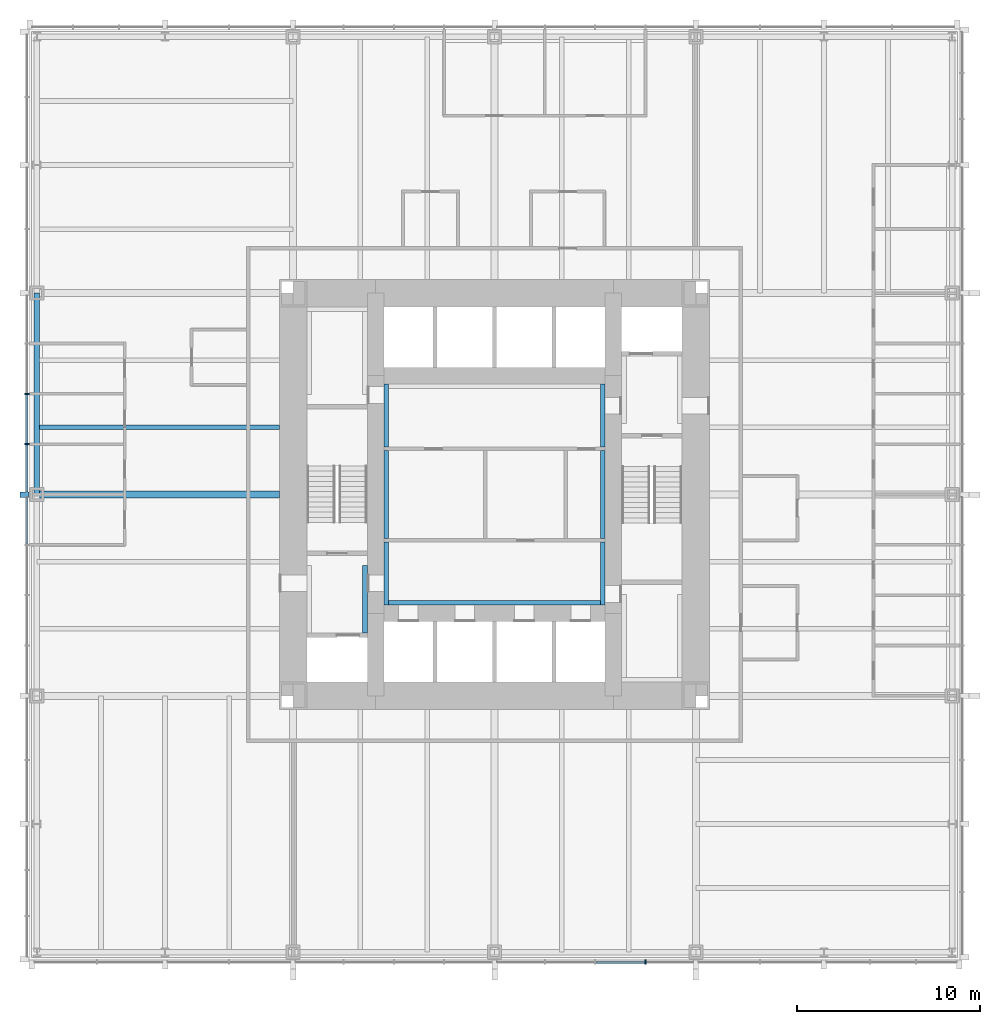
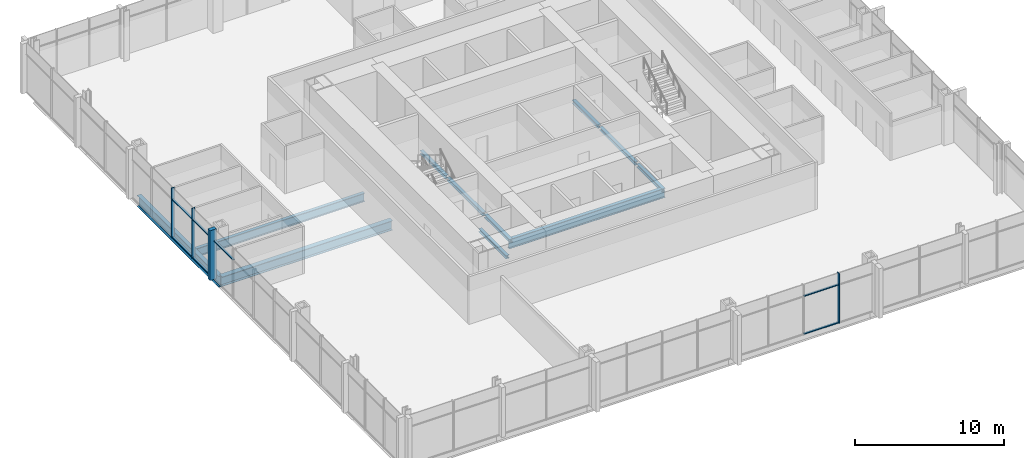
# One storey, part 3 of 12: 11 beams, 11 members, 2 elements without a shape of their own.
"""IFC4 building model written with IfcOpenShell, lengths in metres."""

from ifc_helpers import new_model, si_unit, direction, frame, origin, origin_2d, place, context, subcontext, project, spatial, rectangle, i_section, extrude, material, material_profile, profile_set, type_object, element, aggregate, save


model = new_model("IFC4")

# Units and contexts
model_context = context("Model", 3, precision=1e-05, world=origin(), true_north=direction((0.0, 1.0)))
body_context = subcontext(model_context, "Body", "Model", "MODEL_VIEW")
ifc_project = project(units=[si_unit("LENGTHUNIT", "METRE"), si_unit("AREAUNIT", "SQUARE_METRE"), si_unit("VOLUMEUNIT", "CUBIC_METRE"), si_unit("PLANEANGLEUNIT", "RADIAN"), si_unit("MASSUNIT", "GRAM", prefix="KILO")], contexts=[model_context])

# Site, building, storey
site_placement = place(None, origin())
site = spatial("IfcSite", under=ifc_project, at=site_placement, CompositionType="ELEMENT")
building_placement = place(site_placement, origin())
building = spatial("IfcBuilding", under=site, at=building_placement, Name="Trevanion Tower", CompositionType="ELEMENT")
storey_placement = place(building_placement, frame((0.0, 0.0, 44.699951171875)))
storey = spatial("IfcBuildingStorey", under=building, at=storey_placement, Name="L10", CompositionType="ELEMENT", Elevation=44.699951171875)

# Beam
ifc_material_1 = material(Name="Steel ASTM A992 Grade 50", Category="steel")
ifc_material_profile_1 = material_profile(ifc_material_1, i_section(OverallWidth=0.25390625, OverallDepth=0.700927734375, WebThickness=0.015380859375, FlangeThickness=0.02783203125, at=origin_2d()), Name="W27X129")
ifc_profile_set_1 = profile_set([ifc_material_profile_1], Name="Steel ASTM A992 Grade 50")
beam_type_1 = type_object("IfcBeamType", Name="B3 W27X129", PredefinedType="BEAM", material=ifc_profile_set_1)
beam_1_placement = place(storey_placement, frame((-11.75, 3.666748046875, -0.54052734375), z_axis=(-1.0, 0.0, 0.0), x_axis=(0.0, -1.0, 0.0)))
element("IfcBeam", 1, at=beam_1_placement, inside=storey, type_object=beam_type_1, Name="B3 L10", PredefinedType="BEAM", context=body_context, shape_type="SweptSolid", body=[
    extrude(i_section(OverallWidth=0.25390625, OverallDepth=0.700927734375, WebThickness=0.015380859375, FlangeThickness=0.02783203125, at=origin_2d()), origin(), (0.0, 0.0, 1.0), 13.25),
])

# Curtain wall, members
ifc_material_2 = material(Name="Aluminium and glass", Category="aluminium")
curtain_wall_type = type_object("IfcCurtainWallType", Name="CW1 curtain wall", PredefinedType="USERDEFINED", material=ifc_material_2)
curtain_wall_1_placement = place(storey_placement, origin())
curtain_wall_1 = element("IfcCurtainWall", 2, at=curtain_wall_1_placement, inside=storey, type_object=curtain_wall_type, Name="CW1 L10 2", ObjectType="UNITISED CURTAIN WALL", PredefinedType="USERDEFINED")
ifc_material_3 = material(Name="Aluminium extrusion, anodised bronze", Category="aluminium")
ifc_material_profile_2 = material_profile(ifc_material_3, rectangle(XDim=0.074951171875, YDim=0.25, at=origin_2d()), Name="CW1 mullion")
ifc_profile_set_2 = profile_set([ifc_material_profile_2], Name="Aluminium extrusion, anodised bronze")
member_type_1 = type_object("IfcMemberType", Name="CW1 mullion", PredefinedType="MULLION", material=ifc_profile_set_2)
member_1_placement = place(storey_placement, frame((-25.550048828125, 5.5, -0.18994140625), z_axis=(0.0, 0.0, 1.0), x_axis=(0.0, -1.0, 0.0)))
member_1 = element("IfcMember", 3, at=member_1_placement, type_object=member_type_1, Name="CW1 mullion 7", PredefinedType="MULLION", context=body_context, shape_type="SweptSolid", body=[
    extrude(rectangle(XDim=0.074951171875, YDim=0.25, at=origin_2d()), origin(), (0.0, 0.0, 1.0), 4.10009765625),
])
member_2_placement = place(storey_placement, frame((-25.550048828125, 2.75, -0.18994140625), z_axis=(0.0, 0.0, 1.0), x_axis=(0.0, -1.0, 0.0)))
member_2 = element("IfcMember", 4, at=member_2_placement, type_object=member_type_1, Name="CW1 mullion 8", PredefinedType="MULLION", context=body_context, shape_type="SweptSolid", body=[
    extrude(rectangle(XDim=0.074951171875, YDim=0.25, at=origin_2d()), origin(), (0.0, 0.0, 1.0), 4.10009765625),
])

# Curtain wall, member
curtain_wall_2_placement = place(storey_placement, origin())
curtain_wall_2 = element("IfcCurtainWall", 5, at=curtain_wall_2_placement, inside=storey, type_object=curtain_wall_type, Name="CW1 L10 3", ObjectType="UNITISED CURTAIN WALL", PredefinedType="USERDEFINED")
member_3_placement = place(storey_placement, frame((8.25, -25.550048828125, -0.18994140625), z_axis=(0.0, 0.0, 1.0), x_axis=(1.0, 0.0, 0.0)))
member_3 = element("IfcMember", 6, at=member_3_placement, type_object=member_type_1, Name="CW1 mullion 12", PredefinedType="MULLION", context=body_context, shape_type="SweptSolid", body=[
    extrude(rectangle(XDim=0.074951171875, YDim=0.25, at=origin_2d()), origin(), (0.0, 0.0, 1.0), 4.10009765625),
])

# Member
ifc_material_4 = material(Name="Aluminium extrusion, anodised bronze", Category="aluminium")
ifc_material_profile_3 = material_profile(ifc_material_4, rectangle(XDim=0.300048828125, YDim=0.5, at=origin_2d()), Name="CW1 pier mullion")
ifc_profile_set_3 = profile_set([ifc_material_profile_3], Name="Aluminium extrusion, anodised bronze")
member_type_2 = type_object("IfcMemberType", Name="CW1 pier mullion", PredefinedType="MULLION", material=ifc_profile_set_3)
member_4_placement = place(storey_placement, frame((-25.675048828125, 0.0, -0.18994140625), z_axis=(0.0, 0.0, 1.0), x_axis=(0.0, -1.0, 0.0)))
member_4 = element("IfcMember", 7, at=member_4_placement, type_object=member_type_2, Name="CW1 pier mullion 9", PredefinedType="MULLION", context=body_context, shape_type="SweptSolid", body=[
    extrude(rectangle(XDim=0.300048828125, YDim=0.5, at=origin_2d()), origin(), (0.0, 0.0, 1.0), 4.10009765625),
])

ifc_material_5 = material(Name="Aluminium extrusion, anodised bronze", Category="aluminium")
ifc_material_profile_4 = material_profile(ifc_material_5, rectangle(XDim=0.14990234375, YDim=0.074951171875, at=origin_2d()), Name="CW1 transom")
ifc_profile_set_4 = profile_set([ifc_material_profile_4], Name="Aluminium extrusion, anodised bronze")
member_type_3 = type_object("IfcMemberType", Name="CW1 transom", PredefinedType="USERDEFINED", material=ifc_profile_set_4)
member_5_placement = place(storey_placement, frame((-25.550048828125, 5.46240234375, -0.15234375), z_axis=(0.0, -1.0, 0.0), x_axis=(1.0, 0.0, 0.0)))
member_5 = element("IfcMember", 8, at=member_5_placement, type_object=member_type_3, Name="CW1 transom 7.1", ObjectType="TRANSOM", PredefinedType="USERDEFINED", context=body_context, shape_type="SweptSolid", body=[
    extrude(rectangle(XDim=0.14990234375, YDim=0.074951171875, at=origin_2d()), origin(), (0.0, 0.0, 1.0), 2.6748046875),
])

member_6_placement = place(storey_placement, frame((-25.550048828125, 5.46240234375, 2.9599609375), z_axis=(0.0, -1.0, 0.0), x_axis=(1.0, 0.0, 0.0)))
member_6 = element("IfcMember", 9, at=member_6_placement, type_object=member_type_3, Name="CW1 transom 7.2", ObjectType="TRANSOM", PredefinedType="USERDEFINED", context=body_context, shape_type="SweptSolid", body=[
    extrude(rectangle(XDim=0.14990234375, YDim=0.074951171875, at=origin_2d()), origin(), (0.0, 0.0, 1.0), 2.6748046875),
])

member_7_placement = place(storey_placement, frame((-25.550048828125, 2.71240234375, -0.15234375), z_axis=(0.0, -1.0, 0.0), x_axis=(1.0, 0.0, 0.0)))
member_7 = element("IfcMember", 10, at=member_7_placement, type_object=member_type_3, Name="CW1 transom 8.1", ObjectType="TRANSOM", PredefinedType="USERDEFINED", context=body_context, shape_type="SweptSolid", body=[
    extrude(rectangle(XDim=0.14990234375, YDim=0.074951171875, at=origin_2d()), origin(), (0.0, 0.0, 1.0), 2.5625),
])

member_8_placement = place(storey_placement, frame((-25.550048828125, 2.71240234375, 2.9599609375), z_axis=(0.0, -1.0, 0.0), x_axis=(1.0, 0.0, 0.0)))
member_8 = element("IfcMember", 11, at=member_8_placement, type_object=member_type_3, Name="CW1 transom 8.2", ObjectType="TRANSOM", PredefinedType="USERDEFINED", context=body_context, shape_type="SweptSolid", body=[
    extrude(rectangle(XDim=0.14990234375, YDim=0.074951171875, at=origin_2d()), origin(), (0.0, 0.0, 1.0), 2.5625),
])

member_9_placement = place(storey_placement, frame((-25.550048828125, -0.14990234375, 2.9599609375), z_axis=(0.0, -1.0, 0.0), x_axis=(1.0, 0.0, 0.0)))
member_9 = element("IfcMember", 12, at=member_9_placement, type_object=member_type_3, Name="CW1 transom 9.2", ObjectType="TRANSOM", PredefinedType="USERDEFINED", context=body_context, shape_type="SweptSolid", body=[
    extrude(rectangle(XDim=0.14990234375, YDim=0.074951171875, at=origin_2d()), origin(), (0.0, 0.0, 1.0), 2.5625),
])

aggregate(curtain_wall_1, [member_1, member_2, member_4, member_5, member_6, member_7, member_8, member_9])

member_10_placement = place(storey_placement, frame((5.53759765625, -25.550048828125, -0.15234375), z_axis=(1.0, 0.0, 0.0), x_axis=(0.0, 1.0, 0.0)))
member_10 = element("IfcMember", 13, at=member_10_placement, type_object=member_type_3, Name="CW1 transom 11.1", ObjectType="TRANSOM", PredefinedType="USERDEFINED", context=body_context, shape_type="SweptSolid", body=[
    extrude(rectangle(XDim=0.14990234375, YDim=0.074951171875, at=origin_2d()), origin(), (0.0, 0.0, 1.0), 2.6748046875),
])

member_11_placement = place(storey_placement, frame((5.53759765625, -25.550048828125, 2.9599609375), z_axis=(1.0, 0.0, 0.0), x_axis=(0.0, 1.0, 0.0)))
member_11 = element("IfcMember", 14, at=member_11_placement, type_object=member_type_3, Name="CW1 transom 11.2", ObjectType="TRANSOM", PredefinedType="USERDEFINED", context=body_context, shape_type="SweptSolid", body=[
    extrude(rectangle(XDim=0.14990234375, YDim=0.074951171875, at=origin_2d()), origin(), (0.0, 0.0, 1.0), 2.6748046875),
])

aggregate(curtain_wall_2, [member_3, member_10, member_11])

# Beams
ifc_material_6 = material(Name="Steel ASTM A992 Grade 50", Category="steel")
ifc_material_profile_5 = material_profile(ifc_material_6, i_section(OverallWidth=0.381103515625, OverallDepth=0.77978515625, WebThickness=0.01806640625, FlangeThickness=0.0302734375, at=origin_2d()), Name="W30X191")
ifc_profile_set_5 = profile_set([ifc_material_profile_5], Name="Steel ASTM A992 Grade 50")
beam_type_2 = type_object("IfcBeamType", Name="G2 W30X191", PredefinedType="BEAM", material=ifc_profile_set_5)
beam_2_placement = place(storey_placement, frame((-11.75, 0.0, -0.579833984375), z_axis=(-1.0, 0.0, 0.0), x_axis=(0.0, -1.0, 0.0)))
element("IfcBeam", 15, at=beam_2_placement, inside=storey, type_object=beam_type_2, Name="G2 L10", PredefinedType="BEAM", context=body_context, shape_type="SweptSolid", body=[
    extrude(i_section(OverallWidth=0.381103515625, OverallDepth=0.77978515625, WebThickness=0.01806640625, FlangeThickness=0.0302734375, at=origin_2d()), origin(), (0.0, 0.0, 1.0), 13.25),
])
ifc_material_7 = material(Name="Steel ASTM A992 Grade 50", Category="steel")
ifc_material_profile_6 = material_profile(ifc_material_7, i_section(OverallWidth=0.256591796875, OverallDepth=0.26416015625, WebThickness=0.011962890625, FlangeThickness=0.01953125, at=origin_2d()), Name="W10X68")
ifc_profile_set_6 = profile_set([ifc_material_profile_6], Name="Steel ASTM A992 Grade 50")
beam_type_3 = type_object("IfcBeamType", Name="LB1 W10X68", PredefinedType="BEAM", material=ifc_profile_set_6)
for number, where, z_axis, x_axis, name in (
    (16, (-5.921630859375, 2.60009765625, -0.33203125), (0.0, 1.0, 0.0), (-1.0, 0.0, 0.0), "LB1 L10"),
    (17, (5.921630859375, 2.60009765625, -0.33203125), (0.0, 1.0, 0.0), (-1.0, 0.0, 0.0), "LB1 L10"),
    (18, (-5.921630859375, -6.050048828125, -0.33203125), (0.0, 1.0, 0.0), (-1.0, 0.0, 0.0), "LB1 L10"),
    (19, (5.921630859375, -6.050048828125, -0.33203125), (0.0, 1.0, 0.0), (-1.0, 0.0, 0.0), "LB1 L10"),
):
    element("IfcBeam", number, at=place(storey_placement, frame(where, z_axis=z_axis, x_axis=x_axis)), inside=storey, type_object=beam_type_3, Name=name, PredefinedType="BEAM", context=body_context, shape_type="SweptSolid", body=[
        extrude(i_section(OverallWidth=0.256591796875, OverallDepth=0.26416015625, WebThickness=0.011962890625, FlangeThickness=0.01953125, at=origin_2d()), origin(), (0.0, 0.0, 1.0), 3.449951171875),
    ])
beam_3_placement = place(storey_placement, frame((-7.078369140625, -7.574951171875, -0.33203125), z_axis=(0.0, 1.0, 0.0), x_axis=(-1.0, 0.0, 0.0)))
element("IfcBeam", 20, at=beam_3_placement, inside=storey, type_object=beam_type_3, Name="LB1 L10", PredefinedType="BEAM", context=body_context, shape_type="SweptSolid", body=[
    extrude(i_section(OverallWidth=0.256591796875, OverallDepth=0.26416015625, WebThickness=0.011962890625, FlangeThickness=0.01953125, at=origin_2d()), origin(), (0.0, 0.0, 1.0), 3.699951171875),
])
for number, where, z_axis, x_axis, name in (
    (21, (-5.921630859375, -2.39990234375, -0.33203125), (0.0, 1.0, 0.0), (-1.0, 0.0, 0.0), "LB1 L10"),
    (22, (5.921630859375, -2.39990234375, -0.33203125), (0.0, 1.0, 0.0), (-1.0, 0.0, 0.0), "LB1 L10"),
):
    element("IfcBeam", number, at=place(storey_placement, frame(where, z_axis=z_axis, x_axis=x_axis)), inside=storey, type_object=beam_type_3, Name=name, PredefinedType="BEAM", context=body_context, shape_type="SweptSolid", body=[
        extrude(i_section(OverallWidth=0.256591796875, OverallDepth=0.26416015625, WebThickness=0.011962890625, FlangeThickness=0.01953125, at=origin_2d()), origin(), (0.0, 0.0, 1.0), 4.7998046875),
    ])
ifc_material_8 = material(Name="Steel ASTM A992 Grade 50", Category="steel")
ifc_material_profile_7 = material_profile(ifc_material_8, i_section(OverallWidth=0.2666015625, OverallDepth=0.76953125, WebThickness=0.015625, FlangeThickness=0.025390625, at=origin_2d()), Name="W30X132")
ifc_profile_set_7 = profile_set([ifc_material_profile_7], Name="Steel ASTM A992 Grade 50")
beam_type_4 = type_object("IfcBeamType", Name="LB3 W30X132", PredefinedType="BEAM", material=ifc_profile_set_7)
beam_4_placement = place(storey_placement, frame((-6.050048828125, -5.91650390625, -0.584716796875), z_axis=(1.0, 0.0, 0.0), x_axis=(0.0, 1.0, 0.0)))
element("IfcBeam", 23, at=beam_4_placement, inside=storey, type_object=beam_type_4, Name="LB3 L10", PredefinedType="BEAM", context=body_context, shape_type="SweptSolid", body=[
    extrude(i_section(OverallWidth=0.2666015625, OverallDepth=0.76953125, WebThickness=0.015625, FlangeThickness=0.025390625, at=origin_2d()), origin(), (0.0, 0.0, 1.0), 12.10009765625),
])
ifc_material_9 = material(Name="Steel ASTM A992 Grade 50", Category="steel")
ifc_material_profile_8 = material_profile(ifc_material_9, i_section(OverallWidth=0.307373046875, OverallDepth=0.927001953125, WebThickness=0.01953125, FlangeThickness=0.031982421875, at=origin_2d()), Name="W36X194")
ifc_profile_set_8 = profile_set([ifc_material_profile_8], Name="Steel ASTM A992 Grade 50")
beam_type_5 = type_object("IfcBeamType", Name="SB2 W36X194", PredefinedType="SPANDREL", material=ifc_profile_set_8)
beam_5_placement = place(storey_placement, frame((-25.0, 11.0, -0.653564453125), z_axis=(0.0, -1.0, 0.0), x_axis=(1.0, 0.0, 0.0)))
element("IfcBeam", 24, at=beam_5_placement, inside=storey, type_object=beam_type_5, Name="SB2 L10", PredefinedType="SPANDREL", context=body_context, shape_type="SweptSolid", body=[
    extrude(i_section(OverallWidth=0.307373046875, OverallDepth=0.927001953125, WebThickness=0.01953125, FlangeThickness=0.031982421875, at=origin_2d()), origin(), (0.0, 0.0, 1.0), 11.0),
])

save(model, "model.ifc")
